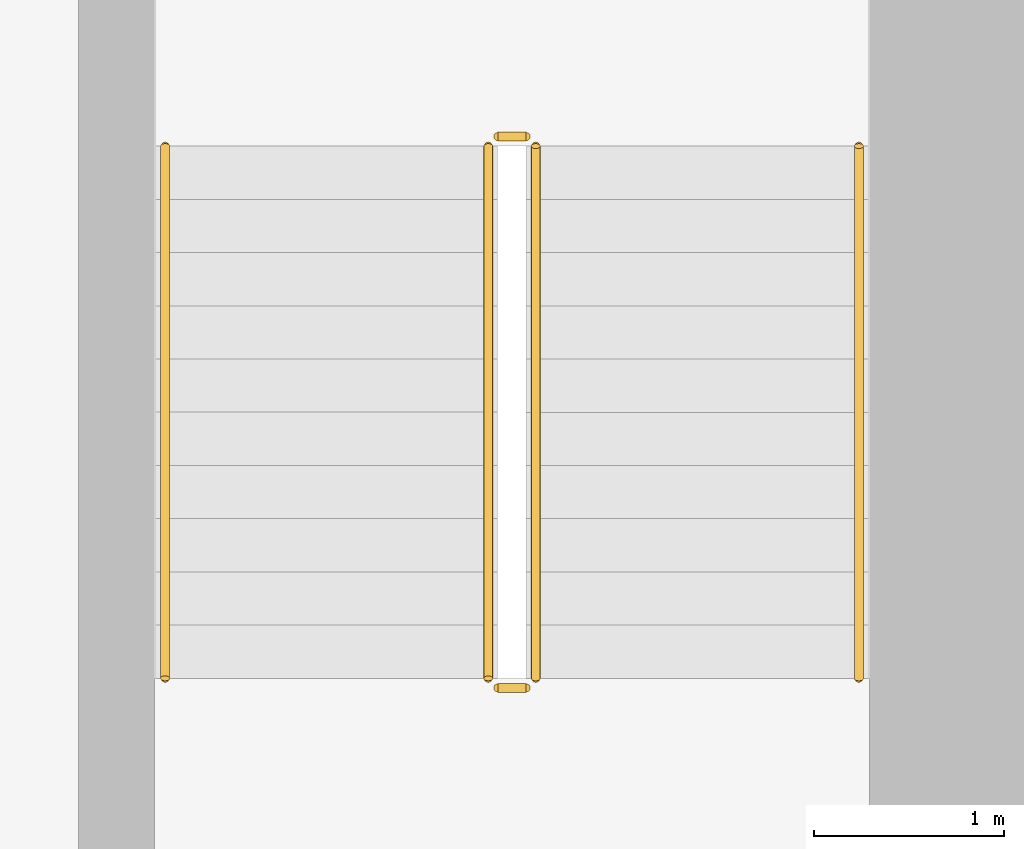
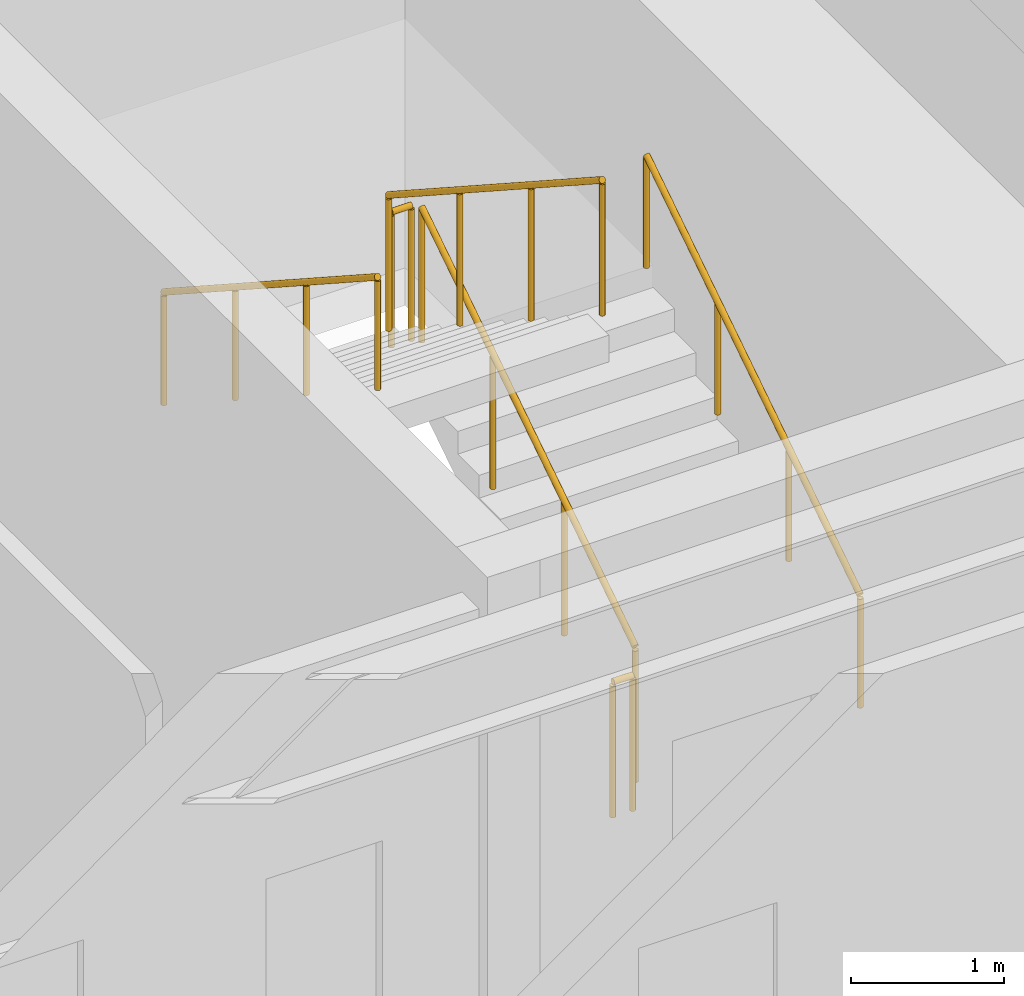
# One storey, part 8 of 8: 6 railings.
"""IFC4 building model written with IfcOpenShell, lengths in metres."""

from ifc_helpers import new_model, si_unit, direction, frame, origin, origin_2d, place, context, subcontext, project, spatial, circle, extrude, material, type_object, element, save


model = new_model("IFC4")

# Units and contexts
model_context = context("Model", 3, precision=1e-05, world=origin(), true_north=direction((0.0, 1.0)))
body_context = subcontext(model_context, "Body", "Model", "MODEL_VIEW")
ifc_project = project(units=[si_unit("LENGTHUNIT", "METRE"), si_unit("AREAUNIT", "SQUARE_METRE"), si_unit("VOLUMEUNIT", "CUBIC_METRE"), si_unit("PLANEANGLEUNIT", "RADIAN"), si_unit("MASSUNIT", "GRAM", prefix="KILO")], contexts=[model_context])

# Site, building, storey
site_placement = place(None, origin())
site = spatial("IfcSite", under=ifc_project, at=site_placement, CompositionType="ELEMENT")
building_placement = place(site_placement, origin())
building = spatial("IfcBuilding", under=site, at=building_placement, Name="Sulina Concourse Tower", CompositionType="ELEMENT")
storey_placement = place(building_placement, frame((0.0, 0.0, 42.60009765625)))
storey = spatial("IfcBuildingStorey", under=building, at=storey_placement, Name="L10", CompositionType="ELEMENT", Elevation=42.60009765625)

# Railings
ifc_material_1 = material(Name="Galvanised steel railing", Category="steel")
railing_type_1 = type_object("IfcRailingType", Name="Core Stair Steel Guardrail 1150mm", PredefinedType="GUARDRAIL", material=ifc_material_1)
railing_1_placement = place(storey_placement, frame((52.695068359375, 36.375, 0.181640625)))
element("IfcRailing", 1, at=railing_1_placement, inside=storey, type_object=railing_type_1, Name="L10 ST-4 stair guard 1", PredefinedType="GUARDRAIL", context=body_context, shape_type="SweptSolid", body=[
    extrude(circle(Radius=0.02392578125, at=origin_2d()), frame((0.0, 0.0, 1.076171875), z_axis=(0.0, 0.838672427954, 0.544636170843), x_axis=(-1.0, 0.0, 0.0)), (0.0, 0.0, 1.0), 3.338623046875),
    extrude(circle(Radius=0.02099609375, at=origin_2d()), origin(), (0.0, 0.0, 1.0), 1.052001953125),
    extrude(circle(Radius=0.02099609375, at=origin_2d()), frame((0.0, 0.933349609375, 0.606201171875)), (0.0, 0.0, 1.0), 1.052001953125),
    extrude(circle(Radius=0.02099609375, at=origin_2d()), frame((0.0, 1.86669921875, 1.212158203125)), (0.0, 0.0, 1.0), 1.052001953125),
    extrude(circle(Radius=0.02099609375, at=origin_2d()), frame((0.0, 2.800048828125, 1.818359375)), (0.0, 0.0, 1.0), 1.052001953125),
])
railing_2_placement = place(storey_placement, frame((52.64501953125, 39.22509765625, 2.0)))
element("IfcRailing", 2, at=railing_2_placement, inside=storey, type_object=railing_type_1, Name="L10 ST-4 stair guard 2", PredefinedType="GUARDRAIL", context=body_context, shape_type="SweptSolid", body=[
    extrude(circle(Radius=0.02392578125, at=origin_2d()), frame((0.0, 0.0, 1.076171875), z_axis=(-1.0, 0.0, 0.0), x_axis=(0.0, -1.0, 0.0)), (0.0, 0.0, 1.0), 0.14990234375),
    extrude(circle(Radius=0.02099609375, at=origin_2d()), origin(), (0.0, 0.0, 1.0), 1.052001953125),
    extrude(circle(Radius=0.02099609375, at=origin_2d()), frame((-0.14990234375, 0.0, 0.0)), (0.0, 0.0, 1.0), 1.052001953125),
])
railing_3_placement = place(storey_placement, frame((52.445068359375, 39.175048828125, 2.181640625)))
element("IfcRailing", 3, at=railing_3_placement, inside=storey, type_object=railing_type_1, Name="L10 ST-4 stair guard 3", PredefinedType="GUARDRAIL", context=body_context, shape_type="SweptSolid", body=[
    extrude(circle(Radius=0.02392578125, at=origin_2d()), frame((0.0, 0.0, 1.076171875), z_axis=(0.0, -0.838672427954, 0.544636170843), x_axis=(1.0, 0.0, 0.0)), (0.0, 0.0, 1.0), 3.338623046875),
    extrude(circle(Radius=0.02099609375, at=origin_2d()), origin(), (0.0, 0.0, 1.0), 1.052001953125),
    extrude(circle(Radius=0.02099609375, at=origin_2d()), frame((0.0, -0.933349609375, 0.606201171875)), (0.0, 0.0, 1.0), 1.052001953125),
    extrude(circle(Radius=0.02099609375, at=origin_2d()), frame((0.0, -1.86669921875, 1.212158203125)), (0.0, 0.0, 1.0), 1.052001953125),
    extrude(circle(Radius=0.02099609375, at=origin_2d()), frame((0.0, -2.800048828125, 1.818359375)), (0.0, 0.0, 1.0), 1.052001953125),
])
railing_4_placement = place(storey_placement, frame((52.64501953125, 36.324951171875, 0.0)))
element("IfcRailing", 4, at=railing_4_placement, inside=storey, type_object=railing_type_1, Name="L10 ST-4 stair guard 4", PredefinedType="GUARDRAIL", context=body_context, shape_type="SweptSolid", body=[
    extrude(circle(Radius=0.02392578125, at=origin_2d()), frame((0.0, 0.0, 1.076171875), z_axis=(-1.0, 0.0, 0.0), x_axis=(0.0, -1.0, 0.0)), (0.0, 0.0, 1.0), 0.14990234375),
    extrude(circle(Radius=0.02099609375, at=origin_2d()), origin(), (0.0, 0.0, 1.0), 1.052001953125),
    extrude(circle(Radius=0.02099609375, at=origin_2d()), frame((-0.14990234375, 0.0, 0.0)), (0.0, 0.0, 1.0), 1.052001953125),
])
ifc_material_2 = material(Name="Galvanised steel railing", Category="steel")
railing_type_2 = type_object("IfcRailingType", Name="Stair Wall Steel Handrail 920mm", PredefinedType="HANDRAIL", material=ifc_material_2)
railing_5_placement = place(storey_placement, frame((54.39501953125, 36.375, 0.181640625)))
element("IfcRailing", 5, at=railing_5_placement, inside=storey, type_object=railing_type_2, Name="L10 ST-4 stair handrail 1", PredefinedType="HANDRAIL", context=body_context, shape_type="SweptSolid", body=[
    extrude(circle(Radius=0.02392578125, at=origin_2d()), frame((0.0, 0.0, 0.89599609375), z_axis=(0.0, 0.838672427954, 0.544636170843), x_axis=(-1.0, 0.0, 0.0)), (0.0, 0.0, 1.0), 3.338623046875),
    extrude(circle(Radius=0.02099609375, at=origin_2d()), origin(), (0.0, 0.0, 1.0), 0.871826171875),
    extrude(circle(Radius=0.02099609375, at=origin_2d()), frame((0.0, 0.933349609375, 0.606201171875)), (0.0, 0.0, 1.0), 0.871826171875),
    extrude(circle(Radius=0.02099609375, at=origin_2d()), frame((0.0, 1.86669921875, 1.212158203125)), (0.0, 0.0, 1.0), 0.871826171875),
    extrude(circle(Radius=0.02099609375, at=origin_2d()), frame((0.0, 2.800048828125, 1.818359375)), (0.0, 0.0, 1.0), 0.871826171875),
])
railing_6_placement = place(storey_placement, frame((50.7451171875, 39.175048828125, 2.181640625)))
element("IfcRailing", 6, at=railing_6_placement, inside=storey, type_object=railing_type_2, Name="L10 ST-4 stair handrail 2", PredefinedType="HANDRAIL", context=body_context, shape_type="SweptSolid", body=[
    extrude(circle(Radius=0.02392578125, at=origin_2d()), frame((0.0, 0.0, 0.89599609375), z_axis=(0.0, -0.838672427954, 0.544636170843), x_axis=(1.0, 0.0, 0.0)), (0.0, 0.0, 1.0), 3.338623046875),
    extrude(circle(Radius=0.02099609375, at=origin_2d()), origin(), (0.0, 0.0, 1.0), 0.871826171875),
    extrude(circle(Radius=0.02099609375, at=origin_2d()), frame((0.0, -0.933349609375, 0.606201171875)), (0.0, 0.0, 1.0), 0.871826171875),
    extrude(circle(Radius=0.02099609375, at=origin_2d()), frame((0.0, -1.86669921875, 1.212158203125)), (0.0, 0.0, 1.0), 0.871826171875),
    extrude(circle(Radius=0.02099609375, at=origin_2d()), frame((0.0, -2.800048828125, 1.818359375)), (0.0, 0.0, 1.0), 0.871826171875),
])

save(model, "model.ifc")
